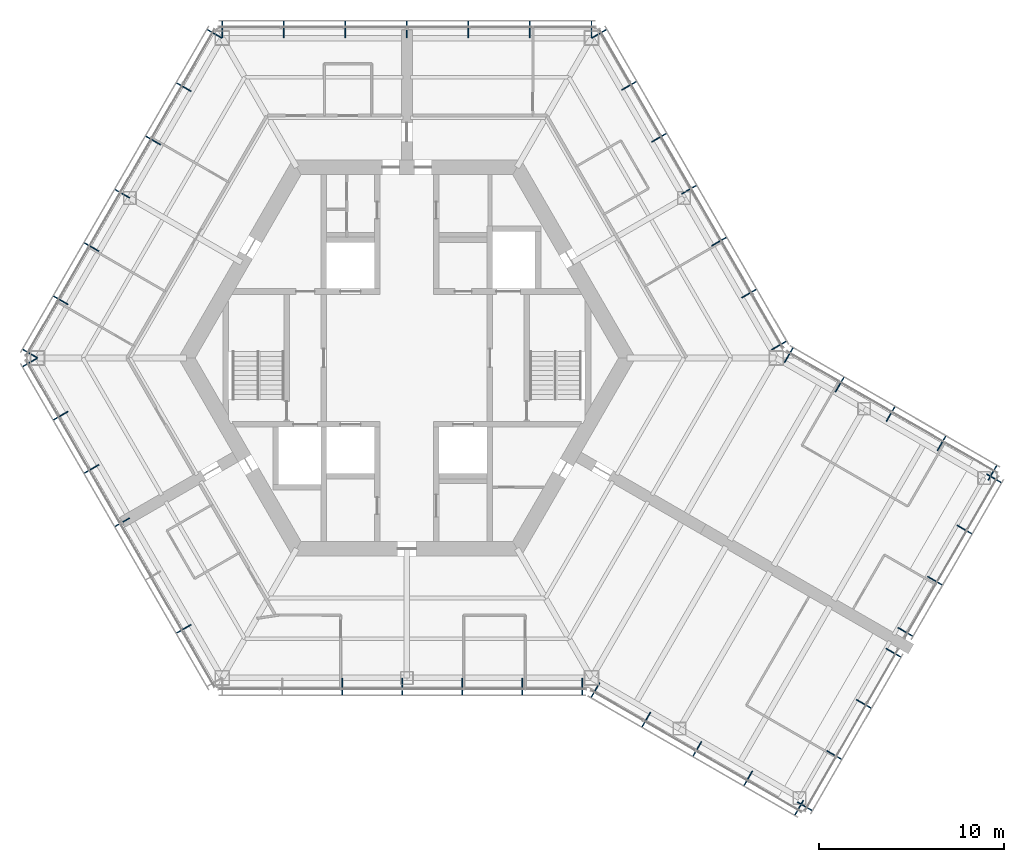
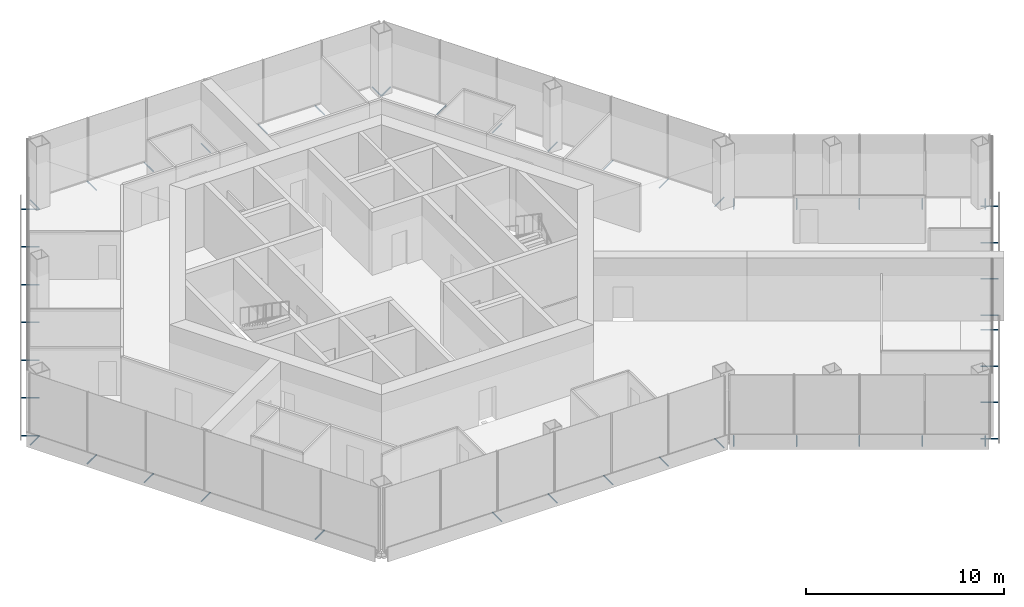
# One storey, part 14 of 16: 49 discrete accessories.
"""IFC4 building model written with IfcOpenShell, lengths in metres."""

import ifcopenshell
import ifcopenshell.guid

model = None  # the IFC model being written
_history = None  # IfcOwnerHistory: only IFC2X3 demands one
_inside = {}  # id of a spatial element -> (the spatial element, [elements in it])
_under = {}  # id of a project, library or spatial element -> (it, [spatial elements below it])
_declared = {}  # id of a project -> (the project, [libraries it declares])
_typed = {}  # id of a type object -> (the type object, [elements of that type])
_made_of = {}  # id of a material, layer set ... -> (it, [elements and type objects made of it])


def new_model(schema):
    """Start an empty IFC model of exactly this schema.

    Asked for "IFC4X3", IfcOpenShell would pick the latest addendum, in which some entities
    have other attributes; the version numbers below select the first issue.
    IFC2X3 requires an IfcOwnerHistory on every rooted entity: one is made here for all.
    """
    global model, _history
    if schema == "IFC4X3":
        model = ifcopenshell.file(schema_version=(4, 3, 0, 0))
    else:
        model = ifcopenshell.file(schema=schema)
    _inside.clear()
    _under.clear()
    _declared.clear()
    _typed.clear()
    _made_of.clear()
    _history = None
    if model.schema == "IFC2X3":
        org = make("IfcOrganization", Name="unknown")
        user = make(
            "IfcPersonAndOrganization",
            ThePerson=make("IfcPerson", FamilyName="unknown"),
            TheOrganization=org,
        )
        app = make(
            "IfcApplication",
            ApplicationDeveloper=org,
            Version="unknown",
            ApplicationFullName="unknown",
            ApplicationIdentifier="unknown",
        )
        _history = make(
            "IfcOwnerHistory",
            OwningUser=user,
            OwningApplication=app,
            ChangeAction="ADDED",
            CreationDate=0,
        )
    return model


def make(cls, **values):
    """One entity of the class cls with the attributes given. An attribute that is None is left unset."""
    return model.create_entity(
        cls, **{name: value for name, value in values.items() if value is not None}
    )


def rooted(cls, **values):
    """An entity with a GlobalId (a new one), such as an element, a storey or a relation."""
    return make(cls, GlobalId=ifcopenshell.guid.new(), OwnerHistory=_history, **values)


def si_unit(unit_type, name, prefix=None):
    """IfcSIUnit, for example si_unit("LENGTHUNIT", "METRE", prefix="MILLI")."""
    return make("IfcSIUnit", UnitType=unit_type, Prefix=prefix, Name=name)


def assignment(units):
    """IfcUnitAssignment: the units of a project."""
    return None if units is None else make("IfcUnitAssignment", Units=units)


def point(xyz):
    """IfcCartesianPoint."""
    return None if xyz is None else make("IfcCartesianPoint", Coordinates=xyz)


def direction(xyz):
    """IfcDirection."""
    return None if xyz is None else make("IfcDirection", DirectionRatios=xyz)


def frame(location, z_axis=None, x_axis=None):
    """IfcAxis2Placement3D, a coordinate frame: its origin and axes. An axis left out is left unset."""
    return make(
        "IfcAxis2Placement3D",
        Location=point(location),
        Axis=direction(z_axis),
        RefDirection=direction(x_axis),
    )


def frame_2d(location, x_axis=None):
    """IfcAxis2Placement2D, a coordinate frame in the plane: its origin and x axis."""
    return make(
        "IfcAxis2Placement2D", Location=point(location), RefDirection=direction(x_axis)
    )


def origin():
    """The frame at (0, 0, 0) with its axes left unset."""
    return frame((0.0, 0.0, 0.0))


def origin_2d():
    """The frame at (0, 0) in the plane with its x axis left unset."""
    return frame_2d((0.0, 0.0))


def place(relative_to, where):
    """IfcLocalPlacement: puts the frame where relative to a parent placement (None: the world)."""
    return make(
        "IfcLocalPlacement", PlacementRelTo=relative_to, RelativePlacement=where
    )


def context(
    kind, dimensions, precision=None, world=None, true_north=None, identifier=None
):
    """IfcGeometricRepresentationContext, for example the 3D "Model" context."""
    return make(
        "IfcGeometricRepresentationContext",
        ContextIdentifier=identifier,
        ContextType=kind,
        CoordinateSpaceDimension=dimensions,
        Precision=precision,
        WorldCoordinateSystem=world,
        TrueNorth=true_north,
    )


def subcontext(parent, identifier, kind, view, scale=None):
    """IfcGeometricRepresentationSubContext, for example "Body" below "Model"."""
    return make(
        "IfcGeometricRepresentationSubContext",
        ContextIdentifier=identifier,
        ContextType=kind,
        ParentContext=parent,
        TargetScale=scale,
        TargetView=view,
    )


def project(units=None, contexts=None):
    """IfcProject with its units and contexts."""
    return rooted(
        "IfcProject",
        Name="project",
        RepresentationContexts=contexts,
        UnitsInContext=assignment(units),
    )


def spatial(cls, under=None, at=None, **own):
    """A site, building, storey or space (cls), placed at a placement, below another one or the project."""
    s = rooted(cls, ObjectPlacement=at, **own)
    if under is not None:
        _under.setdefault(under.id(), (under, []))[1].append(s)
    return s


def profile(cls, at=None, kind="AREA", **sizes):
    """A parametric profile (cls). Its sizes go by their IFC names, for example OverallWidth=200.0."""
    return make(cls, ProfileType=kind, Position=at, **sizes)


def hollow_circle(**sizes):
    """IfcCircleHollowProfileDef."""
    return profile("IfcCircleHollowProfileDef", **sizes)


def extrude(swept, where, along, depth):
    """IfcExtrudedAreaSolid: the profile swept, set in the frame where, extruded along a direction by depth."""
    return make(
        "IfcExtrudedAreaSolid",
        SweptArea=swept,
        Position=where,
        ExtrudedDirection=direction(along),
        Depth=depth,
    )


def shape(context_of_items, identifier, shape_type, items):
    """IfcShapeRepresentation: the items that make up one representation, for example the "Body"."""
    return make(
        "IfcShapeRepresentation",
        ContextOfItems=context_of_items,
        RepresentationIdentifier=identifier,
        RepresentationType=shape_type,
        Items=items,
    )


def material(Name=None, Category=None):
    """IfcMaterial."""
    return make("IfcMaterial", Name=Name, Category=Category)


def material_profile(
    of_material, cross_section, Name=None, Category=None, Priority=None
):
    """IfcMaterialProfile: a cross section and its material."""
    return make(
        "IfcMaterialProfile",
        Name=Name,
        Material=of_material,
        Profile=cross_section,
        Priority=Priority,
        Category=Category,
    )


def profile_set(profiles, Name=None, composite=None):
    """IfcMaterialProfileSet."""
    return make(
        "IfcMaterialProfileSet",
        Name=Name,
        MaterialProfiles=profiles,
        CompositeProfile=composite,
    )


def made_of(thing, what):
    """Note that an element or type object is made of a material, layer set ...; save() writes the relation."""
    if what is not None:
        _made_of.setdefault(what.id(), (what, []))[1].append(thing)
    return thing


def type_object(cls, material=None, **own):
    """A type object (cls), such as IfcWallType, which elements share."""
    return made_of(rooted(cls, **own), material)


def element(
    cls,
    number,
    at=None,
    inside=None,
    cuts=None,
    type_object=None,
    material=None,
    context=None,
    identifier="Body",
    shape_type=None,
    held_by="IfcProductDefinitionShape",
    body=None,
    shapes=None,
    **own,
):
    """One element of the class cls, such as IfcWall. Its Tag is "e" and its number.

    at: its placement. inside: the storey or other place that contains it. cuts: it is an
    opening in that element (IfcRelVoidsElement). A single representation is given by context,
    identifier, shape_type and body (its items); several are given by shapes. held_by: the class
    of the entity that holds the representations. save() writes the other relations.
    """
    e = rooted(cls, Tag="e%d" % number, ObjectPlacement=at, **own)
    if body is not None:
        shapes = [shape(context, identifier, shape_type, body)]
    if shapes is not None:
        e.Representation = make(held_by, Representations=shapes)
    if inside is not None:
        _inside.setdefault(inside.id(), (inside, []))[1].append(e)
    if cuts is not None:
        rooted(
            "IfcRelVoidsElement", RelatingBuildingElement=cuts, RelatedOpeningElement=e
        )
    if type_object is not None:
        _typed.setdefault(type_object.id(), (type_object, []))[1].append(e)
    return made_of(e, material)


def aggregate(whole, parts):
    """IfcRelAggregates: a whole, such as a stair, and the parts it consists of."""
    return rooted("IfcRelAggregates", RelatingObject=whole, RelatedObjects=parts)


def save(model, path):
    """Write the relations noted so far, then the file.

    IfcRelAggregates (storeys below a building ...), IfcRelContainedInSpatialStructure (elements
    in a storey), IfcRelDefinesByType, IfcRelAssociatesMaterial and IfcRelDeclares: one each for
    every whole, place, type object, material and project.
    """
    for whole, parts in _under.values():
        aggregate(whole, parts)
    for where, things in _inside.values():
        rooted(
            "IfcRelContainedInSpatialStructure",
            RelatedElements=things,
            RelatingStructure=where,
        )
    for kind, things in _typed.values():
        rooted("IfcRelDefinesByType", RelatedObjects=things, RelatingType=kind)
    for what, things in _made_of.values():
        rooted("IfcRelAssociatesMaterial", RelatedObjects=things, RelatingMaterial=what)
    for by, libraries in _declared.values():
        rooted("IfcRelDeclares", RelatingContext=by, RelatedDefinitions=libraries)
    model.write(path)


model = new_model("IFC4")

# Units and contexts
model_context = context("Model", 3, precision=1e-05, world=origin(), true_north=direction((0.0, 1.0)))
body_context = subcontext(model_context, "Body", "Model", "MODEL_VIEW")
ifc_project = project(units=[si_unit("LENGTHUNIT", "METRE"), si_unit("AREAUNIT", "SQUARE_METRE"), si_unit("VOLUMEUNIT", "CUBIC_METRE"), si_unit("PLANEANGLEUNIT", "RADIAN"), si_unit("MASSUNIT", "GRAM", prefix="KILO")], contexts=[model_context])

# Site, building, storey
site_placement = place(None, origin())
site = spatial("IfcSite", under=ifc_project, at=site_placement, CompositionType="ELEMENT")
building_placement = place(site_placement, origin())
building = spatial("IfcBuilding", under=site, at=building_placement, Name="Kasaneha Research Tower", CompositionType="ELEMENT")
storey_placement = place(building_placement, frame((0.0, 0.0, 259.60009765625)))
storey = spatial("IfcBuildingStorey", under=building, at=storey_placement, Name="L65", CompositionType="ELEMENT", Elevation=259.60009765625)

# Discrete accessories
ifc_material = material(Name="Steel STK400", Category="steel")
ifc_material_profile = material_profile(ifc_material, hollow_circle(Radius=0.0380859375, WallThickness=0.00390625, at=origin_2d()), Name="CHS-76.3x4.0")
ifc_profile_set = profile_set([ifc_material_profile], Name="Steel STK400")
discrete_accessory_type = type_object("IfcDiscreteAccessoryType", Name="Screen bracket CHS-76.3x4.0", PredefinedType="BRACKET", material=ifc_profile_set)
for number, where, z_axis, x_axis, name in (
    (1, (19.74462890625, 0.4423828125, -0.300048828125), (0.866013213425, 0.500021113727, 0.0), (-0.500021113727, 0.866013213425, 0.0), "Screen bracket 1"),
    (2, (18.120849609375, 3.2548828125, -0.300048828125), (0.866013213425, 0.500021113727, 0.0), (-0.500021113727, 0.866013213425, 0.0), "Screen bracket 2"),
    (3, (16.4970703125, 6.0673828125, -0.300048828125), (0.866013213425, 0.500021113727, 0.0), (-0.500021113727, 0.866013213425, 0.0), "Screen bracket 3"),
    (4, (14.873291015625, 8.8798828125, -0.300048828125), (0.866013213425, 0.500021113727, 0.0), (-0.500021113727, 0.866013213425, 0.0), "Screen bracket 4"),
    (5, (13.24951171875, 11.6923828125, -0.300048828125), (0.866013213425, 0.500021113727, 0.0), (-0.500021113727, 0.866013213425, 0.0), "Screen bracket 5"),
):
    element("IfcDiscreteAccessory", number, at=place(storey_placement, frame(where, z_axis=z_axis, x_axis=x_axis)), inside=storey, type_object=discrete_accessory_type, Name=name, PredefinedType="BRACKET", context=body_context, shape_type="SweptSolid", body=[
        extrude(hollow_circle(Radius=0.0380859375, WallThickness=0.00390625, at=origin_2d()), origin(), (0.0, 0.0, 1.0), 0.919921875),
    ])
for number, where, z_axis, x_axis, name in (
    (6, (11.62548828125, 14.5048828125, -0.300048828125), (0.866079547155, 0.499906209203, 0.0), (-0.499906209203, 0.866079547155, 0.0), "Screen bracket 6"),
    (7, (10.001708984375, 17.3173828125, -0.300048828125), (0.866079547155, 0.499906209203, 0.0), (-0.499906209203, 0.866079547155, 0.0), "Screen bracket 7"),
):
    element("IfcDiscreteAccessory", number, at=place(storey_placement, frame(where, z_axis=z_axis, x_axis=x_axis)), inside=storey, type_object=discrete_accessory_type, Name=name, PredefinedType="BRACKET", context=body_context, shape_type="SweptSolid", body=[
        extrude(hollow_circle(Radius=0.0380859375, WallThickness=0.00390625, at=origin_2d()), origin(), (0.0, 0.0, 1.0), 0.920166015625),
    ])
for number, where, z_axis, x_axis, name in (
    (8, (9.996337890625, 17.320556640625, -0.300048828125), (0.0, 1.0, 0.0), (-1.0, 0.0, 0.0), "Screen bracket 1"),
    (9, (6.664306640625, 17.320556640625, -0.300048828125), (0.0, 1.0, 0.0), (-1.0, 0.0, 0.0), "Screen bracket 2"),
    (10, (3.33203125, 17.320556640625, -0.300048828125), (0.0, 1.0, 0.0), (-1.0, 0.0, 0.0), "Screen bracket 3"),
    (11, (0.0, 17.320556640625, -0.300048828125), (0.0, 1.0, 0.0), (-1.0, 0.0, 0.0), "Screen bracket 4"),
    (12, (-3.33203125, 17.320556640625, -0.300048828125), (0.0, 1.0, 0.0), (-1.0, 0.0, 0.0), "Screen bracket 5"),
    (13, (-6.664306640625, 17.320556640625, -0.300048828125), (0.0, 1.0, 0.0), (-1.0, 0.0, 0.0), "Screen bracket 6"),
    (14, (-9.996337890625, 17.320556640625, -0.300048828125), (0.0, 1.0, 0.0), (-1.0, 0.0, 0.0), "Screen bracket 7"),
):
    element("IfcDiscreteAccessory", number, at=place(storey_placement, frame(where, z_axis=z_axis, x_axis=x_axis)), inside=storey, type_object=discrete_accessory_type, Name=name, PredefinedType="BRACKET", context=body_context, shape_type="SweptSolid", body=[
        extrude(hollow_circle(Radius=0.0380859375, WallThickness=0.00390625, at=origin_2d()), origin(), (0.0, 0.0, 1.0), 0.919921875),
    ])
discrete_accessory_1_placement = place(storey_placement, frame((-10.001708984375, 17.3173828125, -0.300048828125), z_axis=(-0.866079547155, 0.499906209203, 0.0), x_axis=(-0.499906209203, -0.866079547155, 0.0)))
element("IfcDiscreteAccessory", 15, at=discrete_accessory_1_placement, inside=storey, type_object=discrete_accessory_type, Name="Screen bracket 1", PredefinedType="BRACKET", context=body_context, shape_type="SweptSolid", body=[
    extrude(hollow_circle(Radius=0.0380859375, WallThickness=0.00390625, at=origin_2d()), origin(), (0.0, 0.0, 1.0), 0.920166015625),
])
for number, where, z_axis, x_axis, name in (
    (16, (-11.66796875, 14.431640625, -0.300048828125), (-0.866013213425, 0.500021113727, 0.0), (-0.500021113727, -0.866013213425, 0.0), "Screen bracket 2"),
    (17, (-13.333984375, 11.5458984375, -0.300048828125), (-0.866013213425, 0.500021113727, 0.0), (-0.500021113727, -0.866013213425, 0.0), "Screen bracket 3"),
    (18, (-15.0, 8.66015625, -0.300048828125), (-0.865898279276, 0.500220121494, 0.0), (-0.500220121494, -0.865898279276, 0.0), "Screen bracket 4"),
):
    element("IfcDiscreteAccessory", number, at=place(storey_placement, frame(where, z_axis=z_axis, x_axis=x_axis)), inside=storey, type_object=discrete_accessory_type, Name=name, PredefinedType="BRACKET", context=body_context, shape_type="SweptSolid", body=[
        extrude(hollow_circle(Radius=0.0380859375, WallThickness=0.00390625, at=origin_2d()), origin(), (0.0, 0.0, 1.0), 0.919921875),
    ])
for number, where, z_axis, x_axis, name in (
    (19, (-16.666015625, 5.774658203125, -0.300048828125), (-0.866079547155, 0.499906209203, 0.0), (-0.499906209203, -0.866079547155, 0.0), "Screen bracket 5"),
    (20, (-18.33203125, 2.888916015625, -0.300048828125), (-0.866079547155, 0.499906209203, 0.0), (-0.499906209203, -0.866079547155, 0.0), "Screen bracket 6"),
):
    element("IfcDiscreteAccessory", number, at=place(storey_placement, frame(where, z_axis=z_axis, x_axis=x_axis)), inside=storey, type_object=discrete_accessory_type, Name=name, PredefinedType="BRACKET", context=body_context, shape_type="SweptSolid", body=[
        extrude(hollow_circle(Radius=0.0380859375, WallThickness=0.00390625, at=origin_2d()), origin(), (0.0, 0.0, 1.0), 0.920166015625),
    ])
for number, where, z_axis, x_axis, name in (
    (21, (-19.998291015625, 0.003173828125, -0.300048828125), (-0.866013213425, 0.500021113727, 0.0), (-0.500021113727, -0.866013213425, 0.0), "Screen bracket 7"),
    (22, (-19.998291015625, -0.003173828125, -0.300048828125), (-0.866013213425, -0.500021113727, 0.0), (0.500021113727, -0.866013213425, 0.0), "Screen bracket 1"),
):
    element("IfcDiscreteAccessory", number, at=place(storey_placement, frame(where, z_axis=z_axis, x_axis=x_axis)), inside=storey, type_object=discrete_accessory_type, Name=name, PredefinedType="BRACKET", context=body_context, shape_type="SweptSolid", body=[
        extrude(hollow_circle(Radius=0.0380859375, WallThickness=0.00390625, at=origin_2d()), origin(), (0.0, 0.0, 1.0), 0.919921875),
    ])
for number, where, z_axis, x_axis, name in (
    (23, (-18.33203125, -2.888916015625, -0.300048828125), (-0.866079547155, -0.499906209203, 0.0), (0.499906209203, -0.866079547155, 0.0), "Screen bracket 2"),
    (24, (-16.666015625, -5.774658203125, -0.300048828125), (-0.866079547155, -0.499906209203, 0.0), (0.499906209203, -0.866079547155, 0.0), "Screen bracket 3"),
):
    element("IfcDiscreteAccessory", number, at=place(storey_placement, frame(where, z_axis=z_axis, x_axis=x_axis)), inside=storey, type_object=discrete_accessory_type, Name=name, PredefinedType="BRACKET", context=body_context, shape_type="SweptSolid", body=[
        extrude(hollow_circle(Radius=0.0380859375, WallThickness=0.00390625, at=origin_2d()), origin(), (0.0, 0.0, 1.0), 0.920166015625),
    ])
for number, where, z_axis, x_axis, name in (
    (25, (-15.0, -8.66015625, -0.300048828125), (-0.865898279276, -0.500220121494, 0.0), (0.500220121494, -0.865898279276, 0.0), "Screen bracket 4"),
    (26, (-11.66796875, -14.431640625, -0.300048828125), (-0.866013213425, -0.500021113727, 0.0), (0.500021113727, -0.866013213425, 0.0), "Screen bracket 6"),
    (27, (-3.501220703125, -17.320556640625, -0.300048828125), (0.0, -1.0, 0.0), (1.0, 0.0, 0.0), "Screen bracket 3"),
    (28, (-0.253662109375, -17.320556640625, -0.300048828125), (0.0, -1.0, 0.0), (1.0, 0.0, 0.0), "Screen bracket 4"),
    (29, (2.993896484375, -17.320556640625, -0.300048828125), (0.0, -1.0, 0.0), (1.0, 0.0, 0.0), "Screen bracket 5"),
    (30, (6.24169921875, -17.320556640625, -0.300048828125), (0.0, -1.0, 0.0), (1.0, 0.0, 0.0), "Screen bracket 6"),
    (31, (9.4892578125, -17.320556640625, -0.300048828125), (0.0, -1.0, 0.0), (1.0, 0.0, 0.0), "Screen bracket 7"),
    (32, (10.4423828125, -17.575927734375, -0.300048828125), (-0.500021113727, -0.866013213425, 0.0), (0.866013213425, -0.500021113727, 0.0), "Screen bracket 1"),
):
    element("IfcDiscreteAccessory", number, at=place(storey_placement, frame(where, z_axis=z_axis, x_axis=x_axis)), inside=storey, type_object=discrete_accessory_type, Name=name, PredefinedType="BRACKET", context=body_context, shape_type="SweptSolid", body=[
        extrude(hollow_circle(Radius=0.0380859375, WallThickness=0.00390625, at=origin_2d()), origin(), (0.0, 0.0, 1.0), 0.919921875),
    ])
discrete_accessory_2_placement = place(storey_placement, frame((13.200439453125, -19.168212890625, -0.300048828125), z_axis=(-0.499906209203, -0.866079547155, 0.0), x_axis=(0.866079547155, -0.499906209203, 0.0)))
element("IfcDiscreteAccessory", 33, at=discrete_accessory_2_placement, inside=storey, type_object=discrete_accessory_type, Name="Screen bracket 2", PredefinedType="BRACKET", context=body_context, shape_type="SweptSolid", body=[
    extrude(hollow_circle(Radius=0.0380859375, WallThickness=0.00390625, at=origin_2d()), origin(), (0.0, 0.0, 1.0), 0.920166015625),
])
discrete_accessory_3_placement = place(storey_placement, frame((15.95849609375, -20.7607421875, -0.300048828125), z_axis=(-0.500021113727, -0.866013213425, 0.0), x_axis=(0.866013213425, -0.500021113727, 0.0)))
element("IfcDiscreteAccessory", 34, at=discrete_accessory_3_placement, inside=storey, type_object=discrete_accessory_type, Name="Screen bracket 3", PredefinedType="BRACKET", context=body_context, shape_type="SweptSolid", body=[
    extrude(hollow_circle(Radius=0.0380859375, WallThickness=0.00390625, at=origin_2d()), origin(), (0.0, 0.0, 1.0), 0.919921875),
])
discrete_accessory_4_placement = place(storey_placement, frame((18.716796875, -22.35302734375, -0.300048828125), z_axis=(-0.500105201737, -0.865964657013, 0.0), x_axis=(0.865964657013, -0.500105201737, 0.0)))
element("IfcDiscreteAccessory", 35, at=discrete_accessory_4_placement, inside=storey, type_object=discrete_accessory_type, Name="Screen bracket 4", PredefinedType="BRACKET", context=body_context, shape_type="SweptSolid", body=[
    extrude(hollow_circle(Radius=0.0380859375, WallThickness=0.00390625, at=origin_2d()), origin(), (0.0, 0.0, 1.0), 0.920166015625),
])
discrete_accessory_5_placement = place(storey_placement, frame((21.474853515625, -23.945556640625, -0.300048828125), z_axis=(-0.500021113727, -0.866013213425, 0.0), x_axis=(0.866013213425, -0.500021113727, 0.0)))
element("IfcDiscreteAccessory", 36, at=discrete_accessory_5_placement, inside=storey, type_object=discrete_accessory_type, Name="Screen bracket 5", PredefinedType="BRACKET", context=body_context, shape_type="SweptSolid", body=[
    extrude(hollow_circle(Radius=0.0380859375, WallThickness=0.00390625, at=origin_2d()), origin(), (0.0, 0.0, 1.0), 0.919921875),
])
discrete_accessory_6_placement = place(storey_placement, frame((21.13330078125, -24.037109375, -0.300048828125), z_axis=(0.866079547155, -0.499906209203, 0.0), x_axis=(0.499906209203, 0.866079547155, 0.0)))
element("IfcDiscreteAccessory", 37, at=discrete_accessory_6_placement, inside=storey, type_object=discrete_accessory_type, Name="Screen bracket 1", PredefinedType="BRACKET", context=body_context, shape_type="SweptSolid", body=[
    extrude(hollow_circle(Radius=0.0380859375, WallThickness=0.00390625, at=origin_2d()), origin(), (0.0, 0.0, 1.0), 0.920166015625),
])
discrete_accessory_7_placement = place(storey_placement, frame((22.7333984375, -21.265625, -0.300048828125), z_axis=(0.865898279276, -0.500220121494, 0.0), x_axis=(0.500220121494, 0.865898279276, 0.0)))
element("IfcDiscreteAccessory", 38, at=discrete_accessory_7_placement, inside=storey, type_object=discrete_accessory_type, Name="Screen bracket 2", PredefinedType="BRACKET", context=body_context, shape_type="SweptSolid", body=[
    extrude(hollow_circle(Radius=0.0380859375, WallThickness=0.00390625, at=origin_2d()), origin(), (0.0, 0.0, 1.0), 0.919921875),
])
discrete_accessory_8_placement = place(storey_placement, frame((24.333251953125, -18.494384765625, -0.300048828125), z_axis=(0.866079547155, -0.499906209203, 0.0), x_axis=(0.499906209203, 0.866079547155, 0.0)))
element("IfcDiscreteAccessory", 39, at=discrete_accessory_8_placement, inside=storey, type_object=discrete_accessory_type, Name="Screen bracket 3", PredefinedType="BRACKET", context=body_context, shape_type="SweptSolid", body=[
    extrude(hollow_circle(Radius=0.0380859375, WallThickness=0.00390625, at=origin_2d()), origin(), (0.0, 0.0, 1.0), 0.920166015625),
])
discrete_accessory_9_placement = place(storey_placement, frame((25.933349609375, -15.72314453125, -0.300048828125), z_axis=(0.866013213425, -0.500021113727, 0.0), x_axis=(0.500021113727, 0.866013213425, 0.0)))
element("IfcDiscreteAccessory", 40, at=discrete_accessory_9_placement, inside=storey, type_object=discrete_accessory_type, Name="Screen bracket 4", PredefinedType="BRACKET", context=body_context, shape_type="SweptSolid", body=[
    extrude(hollow_circle(Radius=0.0380859375, WallThickness=0.00390625, at=origin_2d()), origin(), (0.0, 0.0, 1.0), 0.919921875),
])
discrete_accessory_10_placement = place(storey_placement, frame((26.583251953125, -14.597412109375, -0.300048828125), z_axis=(0.866079547155, -0.499906209203, 0.0), x_axis=(0.499906209203, 0.866079547155, 0.0)))
element("IfcDiscreteAccessory", 41, at=discrete_accessory_10_placement, inside=storey, type_object=discrete_accessory_type, Name="Screen bracket 1", PredefinedType="BRACKET", context=body_context, shape_type="SweptSolid", body=[
    extrude(hollow_circle(Radius=0.0380859375, WallThickness=0.00390625, at=origin_2d()), origin(), (0.0, 0.0, 1.0), 0.920166015625),
])
for number, where, z_axis, x_axis, name in (
    (42, (28.183349609375, -11.826171875, -0.300048828125), (0.866013213425, -0.500021113727, 0.0), (0.500021113727, 0.866013213425, 0.0), "Screen bracket 2"),
    (43, (29.783447265625, -9.0546875, -0.300048828125), (0.865898279276, -0.500220121494, 0.0), (0.500220121494, 0.865898279276, 0.0), "Screen bracket 3"),
):
    element("IfcDiscreteAccessory", number, at=place(storey_placement, frame(where, z_axis=z_axis, x_axis=x_axis)), inside=storey, type_object=discrete_accessory_type, Name=name, PredefinedType="BRACKET", context=body_context, shape_type="SweptSolid", body=[
        extrude(hollow_circle(Radius=0.0380859375, WallThickness=0.00390625, at=origin_2d()), origin(), (0.0, 0.0, 1.0), 0.919921875),
    ])
discrete_accessory_11_placement = place(storey_placement, frame((31.38330078125, -6.283447265625, -0.300048828125), z_axis=(0.866079547155, -0.499906209203, 0.0), x_axis=(0.499906209203, 0.866079547155, 0.0)))
element("IfcDiscreteAccessory", 44, at=discrete_accessory_11_placement, inside=storey, type_object=discrete_accessory_type, Name="Screen bracket 4", PredefinedType="BRACKET", context=body_context, shape_type="SweptSolid", body=[
    extrude(hollow_circle(Radius=0.0380859375, WallThickness=0.00390625, at=origin_2d()), origin(), (0.0, 0.0, 1.0), 0.920166015625),
])
discrete_accessory_12_placement = place(storey_placement, frame((31.474853515625, -6.625, -0.300048828125), z_axis=(0.500021113727, 0.866013213425, 0.0), x_axis=(-0.866013213425, 0.500021113727, 0.0)))
element("IfcDiscreteAccessory", 45, at=discrete_accessory_12_placement, inside=storey, type_object=discrete_accessory_type, Name="Screen bracket 1", PredefinedType="BRACKET", context=body_context, shape_type="SweptSolid", body=[
    extrude(hollow_circle(Radius=0.0380859375, WallThickness=0.00390625, at=origin_2d()), origin(), (0.0, 0.0, 1.0), 0.919921875),
])
discrete_accessory_13_placement = place(storey_placement, frame((28.716796875, -5.03271484375, -0.300048828125), z_axis=(0.499906209203, 0.866079547155, 0.0), x_axis=(-0.866079547155, 0.499906209203, 0.0)))
element("IfcDiscreteAccessory", 46, at=discrete_accessory_13_placement, inside=storey, type_object=discrete_accessory_type, Name="Screen bracket 2", PredefinedType="BRACKET", context=body_context, shape_type="SweptSolid", body=[
    extrude(hollow_circle(Radius=0.0380859375, WallThickness=0.00390625, at=origin_2d()), origin(), (0.0, 0.0, 1.0), 0.920166015625),
])
discrete_accessory_14_placement = place(storey_placement, frame((25.95849609375, -3.440185546875, -0.300048828125), z_axis=(0.500220121494, 0.865898279276, 0.0), x_axis=(-0.865898279276, 0.500220121494, 0.0)))
element("IfcDiscreteAccessory", 47, at=discrete_accessory_14_placement, inside=storey, type_object=discrete_accessory_type, Name="Screen bracket 3", PredefinedType="BRACKET", context=body_context, shape_type="SweptSolid", body=[
    extrude(hollow_circle(Radius=0.0380859375, WallThickness=0.00390625, at=origin_2d()), origin(), (0.0, 0.0, 1.0), 0.919921875),
])
discrete_accessory_15_placement = place(storey_placement, frame((23.200439453125, -1.847900390625, -0.300048828125), z_axis=(0.499906209203, 0.866079547155, 0.0), x_axis=(-0.866079547155, 0.499906209203, 0.0)))
element("IfcDiscreteAccessory", 48, at=discrete_accessory_15_placement, inside=storey, type_object=discrete_accessory_type, Name="Screen bracket 4", PredefinedType="BRACKET", context=body_context, shape_type="SweptSolid", body=[
    extrude(hollow_circle(Radius=0.0380859375, WallThickness=0.00390625, at=origin_2d()), origin(), (0.0, 0.0, 1.0), 0.920166015625),
])
discrete_accessory_16_placement = place(storey_placement, frame((20.4423828125, -0.25537109375, -0.300048828125), z_axis=(0.500021113727, 0.866013213425, 0.0), x_axis=(-0.866013213425, 0.500021113727, 0.0)))
element("IfcDiscreteAccessory", 49, at=discrete_accessory_16_placement, inside=storey, type_object=discrete_accessory_type, Name="Screen bracket 5", PredefinedType="BRACKET", context=body_context, shape_type="SweptSolid", body=[
    extrude(hollow_circle(Radius=0.0380859375, WallThickness=0.00390625, at=origin_2d()), origin(), (0.0, 0.0, 1.0), 0.919921875),
])

save(model, "model.ifc")
